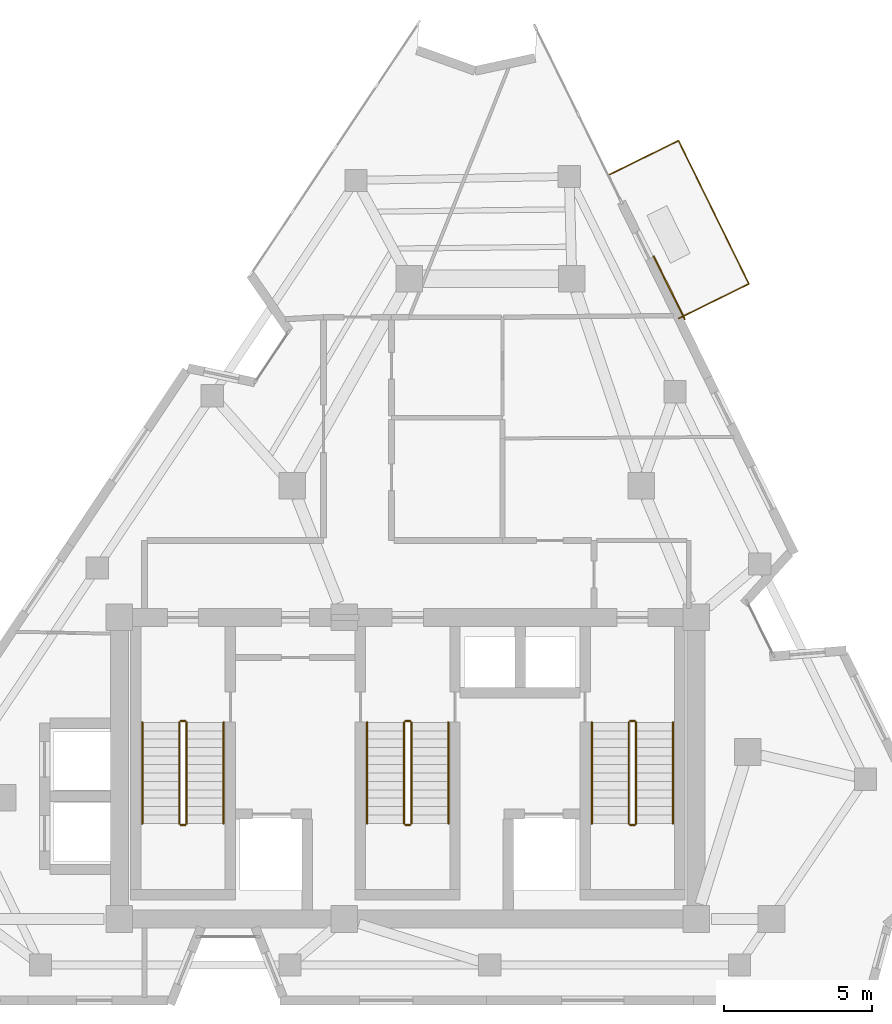
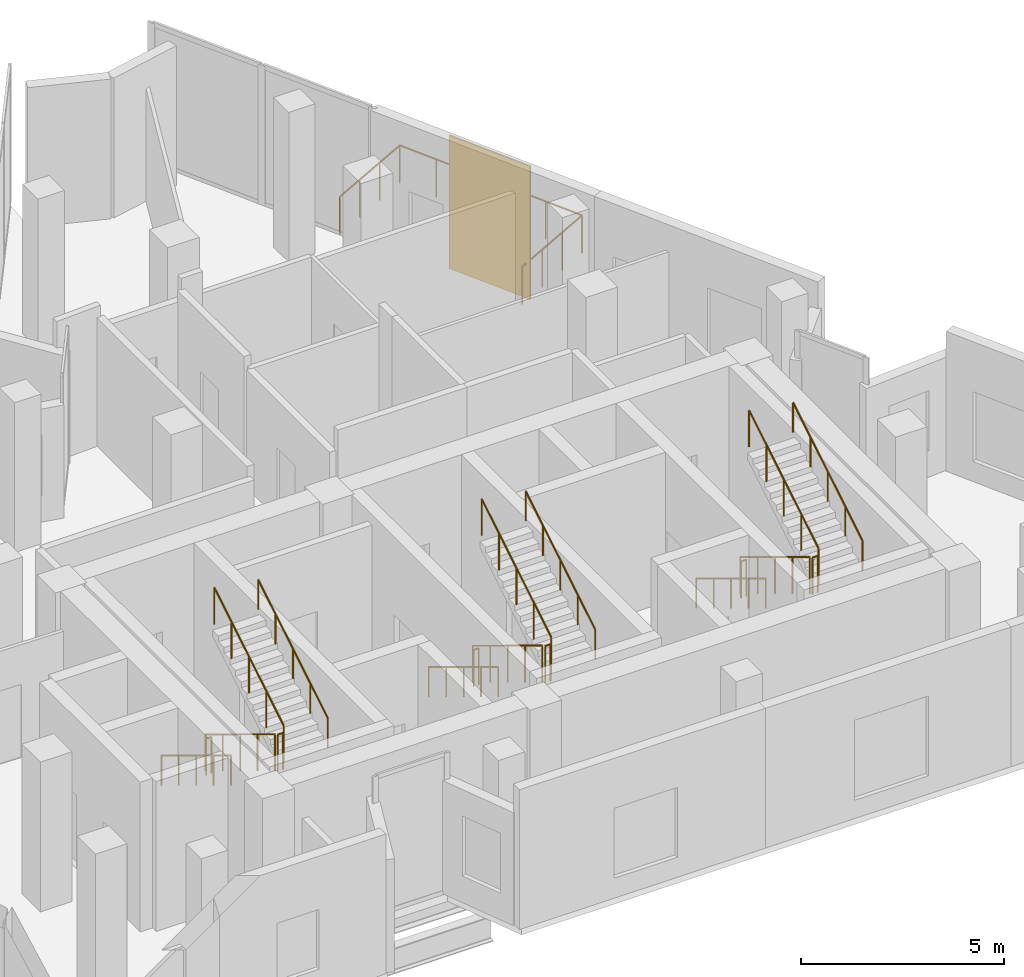
# One storey, part 9 of 9: 19 railings, 1 covering.
"""IFC4 building model written with IfcOpenShell, lengths in metres."""

from ifc_helpers import new_model, si_unit, direction, frame, origin, origin_2d, place, context, subcontext, project, spatial, rectangle, circle, extrude, material, layer, layer_set, type_object, element, save


model = new_model("IFC4")

# Units and contexts
model_context = context("Model", 3, precision=1e-05, world=origin(), true_north=direction((0.0, 1.0)))
body_context = subcontext(model_context, "Body", "Model", "MODEL_VIEW")
ifc_project = project(units=[si_unit("LENGTHUNIT", "METRE"), si_unit("AREAUNIT", "SQUARE_METRE"), si_unit("VOLUMEUNIT", "CUBIC_METRE"), si_unit("PLANEANGLEUNIT", "RADIAN"), si_unit("MASSUNIT", "GRAM", prefix="KILO")], contexts=[model_context])

# Site, building, storey
site_placement = place(None, origin())
site = spatial("IfcSite", under=ifc_project, at=site_placement, CompositionType="ELEMENT")
building_placement = place(site_placement, origin())
building = spatial("IfcBuilding", under=site, at=building_placement, Name="Almagre Mirador Tower", CompositionType="ELEMENT")
storey_placement = place(building_placement, frame((0.0, 0.0, 289.5)))
storey = spatial("IfcBuildingStorey", under=building, at=storey_placement, Name="L75", CompositionType="ELEMENT", Elevation=289.5)

# Covering
ifc_material_1 = material(Name="Almagre terracotta architectural cladding", Category="masonry")
ifc_layer = layer(ifc_material_1, 0.044921875)
ifc_layer_set = layer_set([ifc_layer], Name="Almagre terracotta architectural cladding")
covering_type = type_object("IfcCoveringType", Name="COV-CLAD-ALMAGRE", PredefinedType="CLADDING", material=ifc_layer_set)
covering_placement = place(storey_placement, frame((46.142822265625, 25.896484375, 0.10009765625), z_axis=(0.0, 0.0, 1.0), x_axis=(0.441302259963, -0.897358521078, 0.0)))
element("IfcCovering", 1, at=covering_placement, inside=storey, type_object=covering_type, Name="L75 almagre terracotta pier cladding", PredefinedType="CLADDING", context=body_context, shape_type="SweptSolid", body=[
    extrude(rectangle(XDim=2.39990234375, YDim=0.044921875, at=origin_2d()), origin(), (0.0, 0.0, 1.0), 4.0),
])

# Railings
ifc_material_2 = material(Name="Black anodized aluminium", Category="aluminium")
railing_type_1 = type_object("IfcRailingType", Name="RLG-BAL-1150", PredefinedType="BALUSTRADE", material=ifc_material_2)
railing_1_placement = place(storey_placement, frame((46.4609375, 24.85693359375, 0.0)))
element("IfcRailing", 2, at=railing_1_placement, inside=storey, type_object=railing_type_1, Name="L75 east balcony balustrade 1", PredefinedType="BALUSTRADE", context=body_context, shape_type="SweptSolid", body=[
    extrude(circle(Radius=0.02392578125, at=origin_2d()), frame((0.0, 0.0, 1.1259765625), z_axis=(0.897264435075, 0.441493526056, 0.0), x_axis=(-0.441493526056, 0.897264435075, 0.0)), (0.0, 0.0, 1.0), 2.650390625),
    extrude(circle(Radius=0.02392578125, at=origin_2d()), frame((2.378173828125, 1.170166015625, 1.1259765625), z_axis=(-0.441216382281, 0.897400748833, 0.0), x_axis=(-0.897400748833, -0.441216382281, 0.0)), (0.0, 0.0, 1.0), 5.39892578125),
    extrude(circle(Radius=0.02392578125, at=origin_2d()), frame((-0.00390625, 6.01513671875, 1.1259765625), z_axis=(-0.897392430481, -0.441233300778, 0.0), x_axis=(0.441233300778, -0.897392430481, 0.0)), (0.0, 0.0, 1.0), 2.64990234375),
    extrude(circle(Radius=0.02099609375, at=origin_2d()), origin(), (0.0, 0.0, 1.0), 1.101806640625),
    extrude(circle(Radius=0.02099609375, at=origin_2d()), frame((0.792724609375, 0.39013671875, 0.0)), (0.0, 0.0, 1.0), 1.101806640625),
    extrude(circle(Radius=0.02099609375, at=origin_2d()), frame((1.58544921875, 0.780029296875, 0.0)), (0.0, 0.0, 1.0), 1.101806640625),
    extrude(circle(Radius=0.02099609375, at=origin_2d()), frame((2.378173828125, 1.170166015625, 0.0)), (0.0, 0.0, 1.0), 1.101806640625),
    extrude(circle(Radius=0.02099609375, at=origin_2d()), frame((1.90185546875, 2.13916015625, 0.0)), (0.0, 0.0, 1.0), 1.101806640625),
    extrude(circle(Radius=0.02099609375, at=origin_2d()), frame((1.42529296875, 3.108154296875, 0.0)), (0.0, 0.0, 1.0), 1.101806640625),
    extrude(circle(Radius=0.02099609375, at=origin_2d()), frame((0.948974609375, 4.0771484375, 0.0)), (0.0, 0.0, 1.0), 1.101806640625),
    extrude(circle(Radius=0.02099609375, at=origin_2d()), frame((0.472412109375, 5.046142578125, 0.0)), (0.0, 0.0, 1.0), 1.101806640625),
    extrude(circle(Radius=0.02099609375, at=origin_2d()), frame((-0.00390625, 6.01513671875, 0.0)), (0.0, 0.0, 1.0), 1.101806640625),
    extrude(circle(Radius=0.02099609375, at=origin_2d()), frame((-0.796630859375, 5.62548828125, 0.0)), (0.0, 0.0, 1.0), 1.101806640625),
    extrude(circle(Radius=0.02099609375, at=origin_2d()), frame((-1.589111328125, 5.235595703125, 0.0)), (0.0, 0.0, 1.0), 1.101806640625),
    extrude(circle(Radius=0.02099609375, at=origin_2d()), frame((-2.3818359375, 4.845947265625, 0.0)), (0.0, 0.0, 1.0), 1.101806640625),
])
ifc_material_3 = material(Name="Painted galvanized steel", Category="steel")
railing_type_2 = type_object("IfcRailingType", Name="RLG-GRD-1100", PredefinedType="GUARDRAIL", material=ifc_material_3)
railing_2_placement = place(storey_placement, frame((29.574951171875, 11.199951171875, 0.173095703125)))
element("IfcRailing", 3, at=railing_2_placement, inside=storey, type_object=railing_type_2, Name="L75 ST-1 stair guard 1", PredefinedType="GUARDRAIL", context=body_context, shape_type="SweptSolid", body=[
    extrude(circle(Radius=0.02392578125, at=origin_2d()), frame((0.0, 0.0, 1.09619140625), z_axis=(0.0, -0.854729506542, 0.519073665916), x_axis=(1.0, 0.0, 0.0)), (0.0, 0.0, 1.0), 4.001220703125),
    extrude(circle(Radius=0.02099609375, at=origin_2d()), origin(), (0.0, 0.0, 1.0), 1.072021484375),
    extrude(circle(Radius=0.02099609375, at=origin_2d()), frame((0.0, -0.85498046875, 0.519287109375)), (0.0, 0.0, 1.0), 1.072021484375),
    extrude(circle(Radius=0.02099609375, at=origin_2d()), frame((0.0, -1.7099609375, 1.03857421875)), (0.0, 0.0, 1.0), 1.072021484375),
    extrude(circle(Radius=0.02099609375, at=origin_2d()), frame((0.0, -2.56494140625, 1.5576171875)), (0.0, 0.0, 1.0), 1.072021484375),
    extrude(circle(Radius=0.02099609375, at=origin_2d()), frame((0.0, -3.419921875, 2.076904296875)), (0.0, 0.0, 1.0), 1.072021484375),
])
railing_3_placement = place(storey_placement, frame((29.625, 7.72998046875, 2.25)))
element("IfcRailing", 4, at=railing_3_placement, inside=storey, type_object=railing_type_2, Name="L75 ST-1 stair guard 2", PredefinedType="GUARDRAIL", context=body_context, shape_type="SweptSolid", body=[
    extrude(circle(Radius=0.02392578125, at=origin_2d()), frame((0.0, 0.0, 1.09619140625), z_axis=(1.0, 0.0, 0.0), x_axis=(0.0, 1.0, 0.0)), (0.0, 0.0, 1.0), 0.14990234375),
    extrude(circle(Radius=0.02099609375, at=origin_2d()), origin(), (0.0, 0.0, 1.0), 1.072021484375),
    extrude(circle(Radius=0.02099609375, at=origin_2d()), frame((0.14990234375, 0.0, 0.0)), (0.0, 0.0, 1.0), 1.072021484375),
])
railing_4_placement = place(storey_placement, frame((29.824951171875, 7.780029296875, 2.423095703125)))
element("IfcRailing", 5, at=railing_4_placement, inside=storey, type_object=railing_type_2, Name="L75 ST-1 stair guard 3", PredefinedType="GUARDRAIL", context=body_context, shape_type="SweptSolid", body=[
    extrude(circle(Radius=0.02392578125, at=origin_2d()), frame((0.0, 0.0, 1.09619140625), z_axis=(0.0, 0.854729506542, 0.519073665916), x_axis=(-1.0, 0.0, 0.0)), (0.0, 0.0, 1.0), 4.001220703125),
    extrude(circle(Radius=0.02099609375, at=origin_2d()), origin(), (0.0, 0.0, 1.0), 1.072021484375),
    extrude(circle(Radius=0.02099609375, at=origin_2d()), frame((0.0, 0.85498046875, 0.519287109375)), (0.0, 0.0, 1.0), 1.072021484375),
    extrude(circle(Radius=0.02099609375, at=origin_2d()), frame((0.0, 1.7099609375, 1.03857421875)), (0.0, 0.0, 1.0), 1.072021484375),
    extrude(circle(Radius=0.02099609375, at=origin_2d()), frame((0.0, 2.56494140625, 1.5576171875)), (0.0, 0.0, 1.0), 1.072021484375),
    extrude(circle(Radius=0.02099609375, at=origin_2d()), frame((0.0, 3.419921875, 2.076904296875)), (0.0, 0.0, 1.0), 1.072021484375),
])
railing_5_placement = place(storey_placement, frame((29.625, 11.25, 0.0)))
element("IfcRailing", 6, at=railing_5_placement, inside=storey, type_object=railing_type_2, Name="L75 ST-1 stair guard 4", PredefinedType="GUARDRAIL", context=body_context, shape_type="SweptSolid", body=[
    extrude(circle(Radius=0.02392578125, at=origin_2d()), frame((0.0, 0.0, 1.09619140625), z_axis=(1.0, 0.0, 0.0), x_axis=(0.0, 1.0, 0.0)), (0.0, 0.0, 1.0), 0.14990234375),
    extrude(circle(Radius=0.02099609375, at=origin_2d()), origin(), (0.0, 0.0, 1.0), 1.072021484375),
    extrude(circle(Radius=0.02099609375, at=origin_2d()), frame((0.14990234375, 0.0, 0.0)), (0.0, 0.0, 1.0), 1.072021484375),
])
railing_6_placement = place(storey_placement, frame((37.175048828125, 11.199951171875, 0.173095703125)))
element("IfcRailing", 7, at=railing_6_placement, inside=storey, type_object=railing_type_2, Name="L75 ST-2 stair guard 1", PredefinedType="GUARDRAIL", context=body_context, shape_type="SweptSolid", body=[
    extrude(circle(Radius=0.02392578125, at=origin_2d()), frame((0.0, 0.0, 1.09619140625), z_axis=(0.0, -0.854729506542, 0.519073665916), x_axis=(1.0, 0.0, 0.0)), (0.0, 0.0, 1.0), 4.001220703125),
    extrude(circle(Radius=0.02099609375, at=origin_2d()), origin(), (0.0, 0.0, 1.0), 1.072021484375),
    extrude(circle(Radius=0.02099609375, at=origin_2d()), frame((0.0, -0.85498046875, 0.519287109375)), (0.0, 0.0, 1.0), 1.072021484375),
    extrude(circle(Radius=0.02099609375, at=origin_2d()), frame((0.0, -1.7099609375, 1.03857421875)), (0.0, 0.0, 1.0), 1.072021484375),
    extrude(circle(Radius=0.02099609375, at=origin_2d()), frame((0.0, -2.56494140625, 1.5576171875)), (0.0, 0.0, 1.0), 1.072021484375),
    extrude(circle(Radius=0.02099609375, at=origin_2d()), frame((0.0, -3.419921875, 2.076904296875)), (0.0, 0.0, 1.0), 1.072021484375),
])
railing_7_placement = place(storey_placement, frame((37.22509765625, 7.72998046875, 2.25)))
element("IfcRailing", 8, at=railing_7_placement, inside=storey, type_object=railing_type_2, Name="L75 ST-2 stair guard 2", PredefinedType="GUARDRAIL", context=body_context, shape_type="SweptSolid", body=[
    extrude(circle(Radius=0.02392578125, at=origin_2d()), frame((0.0, 0.0, 1.09619140625), z_axis=(1.0, 0.0, 0.0), x_axis=(0.0, 1.0, 0.0)), (0.0, 0.0, 1.0), 0.14990234375),
    extrude(circle(Radius=0.02099609375, at=origin_2d()), origin(), (0.0, 0.0, 1.0), 1.072021484375),
    extrude(circle(Radius=0.02099609375, at=origin_2d()), frame((0.14990234375, 0.0, 0.0)), (0.0, 0.0, 1.0), 1.072021484375),
])
railing_8_placement = place(storey_placement, frame((37.425048828125, 7.780029296875, 2.423095703125)))
element("IfcRailing", 9, at=railing_8_placement, inside=storey, type_object=railing_type_2, Name="L75 ST-2 stair guard 3", PredefinedType="GUARDRAIL", context=body_context, shape_type="SweptSolid", body=[
    extrude(circle(Radius=0.02392578125, at=origin_2d()), frame((0.0, 0.0, 1.09619140625), z_axis=(0.0, 0.854729506542, 0.519073665916), x_axis=(-1.0, 0.0, 0.0)), (0.0, 0.0, 1.0), 4.001220703125),
    extrude(circle(Radius=0.02099609375, at=origin_2d()), origin(), (0.0, 0.0, 1.0), 1.072021484375),
    extrude(circle(Radius=0.02099609375, at=origin_2d()), frame((0.0, 0.85498046875, 0.519287109375)), (0.0, 0.0, 1.0), 1.072021484375),
    extrude(circle(Radius=0.02099609375, at=origin_2d()), frame((0.0, 1.7099609375, 1.03857421875)), (0.0, 0.0, 1.0), 1.072021484375),
    extrude(circle(Radius=0.02099609375, at=origin_2d()), frame((0.0, 2.56494140625, 1.5576171875)), (0.0, 0.0, 1.0), 1.072021484375),
    extrude(circle(Radius=0.02099609375, at=origin_2d()), frame((0.0, 3.419921875, 2.076904296875)), (0.0, 0.0, 1.0), 1.072021484375),
])
railing_9_placement = place(storey_placement, frame((37.22509765625, 11.25, 0.0)))
element("IfcRailing", 10, at=railing_9_placement, inside=storey, type_object=railing_type_2, Name="L75 ST-2 stair guard 4", PredefinedType="GUARDRAIL", context=body_context, shape_type="SweptSolid", body=[
    extrude(circle(Radius=0.02392578125, at=origin_2d()), frame((0.0, 0.0, 1.09619140625), z_axis=(1.0, 0.0, 0.0), x_axis=(0.0, 1.0, 0.0)), (0.0, 0.0, 1.0), 0.14990234375),
    extrude(circle(Radius=0.02099609375, at=origin_2d()), origin(), (0.0, 0.0, 1.0), 1.072021484375),
    extrude(circle(Radius=0.02099609375, at=origin_2d()), frame((0.14990234375, 0.0, 0.0)), (0.0, 0.0, 1.0), 1.072021484375),
])
railing_10_placement = place(storey_placement, frame((44.77490234375, 11.199951171875, 0.173095703125)))
element("IfcRailing", 11, at=railing_10_placement, inside=storey, type_object=railing_type_2, Name="L75 ST-3 stair guard 1", PredefinedType="GUARDRAIL", context=body_context, shape_type="SweptSolid", body=[
    extrude(circle(Radius=0.02392578125, at=origin_2d()), frame((0.0, 0.0, 1.09619140625), z_axis=(0.0, -0.854729506542, 0.519073665916), x_axis=(1.0, 0.0, 0.0)), (0.0, 0.0, 1.0), 4.001220703125),
    extrude(circle(Radius=0.02099609375, at=origin_2d()), origin(), (0.0, 0.0, 1.0), 1.072021484375),
    extrude(circle(Radius=0.02099609375, at=origin_2d()), frame((0.0, -0.85498046875, 0.519287109375)), (0.0, 0.0, 1.0), 1.072021484375),
    extrude(circle(Radius=0.02099609375, at=origin_2d()), frame((0.0, -1.7099609375, 1.03857421875)), (0.0, 0.0, 1.0), 1.072021484375),
    extrude(circle(Radius=0.02099609375, at=origin_2d()), frame((0.0, -2.56494140625, 1.5576171875)), (0.0, 0.0, 1.0), 1.072021484375),
    extrude(circle(Radius=0.02099609375, at=origin_2d()), frame((0.0, -3.419921875, 2.076904296875)), (0.0, 0.0, 1.0), 1.072021484375),
])
railing_11_placement = place(storey_placement, frame((44.824951171875, 7.72998046875, 2.25)))
element("IfcRailing", 12, at=railing_11_placement, inside=storey, type_object=railing_type_2, Name="L75 ST-3 stair guard 2", PredefinedType="GUARDRAIL", context=body_context, shape_type="SweptSolid", body=[
    extrude(circle(Radius=0.02392578125, at=origin_2d()), frame((0.0, 0.0, 1.09619140625), z_axis=(1.0, 0.0, 0.0), x_axis=(0.0, 1.0, 0.0)), (0.0, 0.0, 1.0), 0.150146484375),
    extrude(circle(Radius=0.02099609375, at=origin_2d()), origin(), (0.0, 0.0, 1.0), 1.072021484375),
    extrude(circle(Radius=0.02099609375, at=origin_2d()), frame((0.150146484375, 0.0, 0.0)), (0.0, 0.0, 1.0), 1.072021484375),
])
railing_12_placement = place(storey_placement, frame((45.02490234375, 7.780029296875, 2.423095703125)))
element("IfcRailing", 13, at=railing_12_placement, inside=storey, type_object=railing_type_2, Name="L75 ST-3 stair guard 3", PredefinedType="GUARDRAIL", context=body_context, shape_type="SweptSolid", body=[
    extrude(circle(Radius=0.02392578125, at=origin_2d()), frame((0.0, 0.0, 1.09619140625), z_axis=(0.0, 0.854729506542, 0.519073665916), x_axis=(-1.0, 0.0, 0.0)), (0.0, 0.0, 1.0), 4.001220703125),
    extrude(circle(Radius=0.02099609375, at=origin_2d()), origin(), (0.0, 0.0, 1.0), 1.072021484375),
    extrude(circle(Radius=0.02099609375, at=origin_2d()), frame((0.0, 0.85498046875, 0.519287109375)), (0.0, 0.0, 1.0), 1.072021484375),
    extrude(circle(Radius=0.02099609375, at=origin_2d()), frame((0.0, 1.7099609375, 1.03857421875)), (0.0, 0.0, 1.0), 1.072021484375),
    extrude(circle(Radius=0.02099609375, at=origin_2d()), frame((0.0, 2.56494140625, 1.5576171875)), (0.0, 0.0, 1.0), 1.072021484375),
    extrude(circle(Radius=0.02099609375, at=origin_2d()), frame((0.0, 3.419921875, 2.076904296875)), (0.0, 0.0, 1.0), 1.072021484375),
])
railing_13_placement = place(storey_placement, frame((44.824951171875, 11.25, 0.0)))
element("IfcRailing", 14, at=railing_13_placement, inside=storey, type_object=railing_type_2, Name="L75 ST-3 stair guard 4", PredefinedType="GUARDRAIL", context=body_context, shape_type="SweptSolid", body=[
    extrude(circle(Radius=0.02392578125, at=origin_2d()), frame((0.0, 0.0, 1.09619140625), z_axis=(1.0, 0.0, 0.0), x_axis=(0.0, 1.0, 0.0)), (0.0, 0.0, 1.0), 0.150146484375),
    extrude(circle(Radius=0.02099609375, at=origin_2d()), origin(), (0.0, 0.0, 1.0), 1.072021484375),
    extrude(circle(Radius=0.02099609375, at=origin_2d()), frame((0.150146484375, 0.0, 0.0)), (0.0, 0.0, 1.0), 1.072021484375),
])
ifc_material_4 = material(Name="Brushed stainless steel", Category="steel")
railing_type_3 = type_object("IfcRailingType", Name="RLG-HND-915", PredefinedType="HANDRAIL", material=ifc_material_4)
railing_14_placement = place(storey_placement, frame((28.324951171875, 11.199951171875, 0.173095703125)))
element("IfcRailing", 15, at=railing_14_placement, inside=storey, type_object=railing_type_3, Name="L75 ST-1 stair handrail 1", PredefinedType="HANDRAIL", context=body_context, shape_type="SweptSolid", body=[
    extrude(circle(Radius=0.02392578125, at=origin_2d()), frame((0.0, 0.0, 0.89111328125), z_axis=(0.0, -0.854729506542, 0.519073665916), x_axis=(1.0, 0.0, 0.0)), (0.0, 0.0, 1.0), 4.001220703125),
    extrude(circle(Radius=0.02099609375, at=origin_2d()), origin(), (0.0, 0.0, 1.0), 0.866943359375),
    extrude(circle(Radius=0.02099609375, at=origin_2d()), frame((0.0, -0.85498046875, 0.519287109375)), (0.0, 0.0, 1.0), 0.866943359375),
    extrude(circle(Radius=0.02099609375, at=origin_2d()), frame((0.0, -1.7099609375, 1.03857421875)), (0.0, 0.0, 1.0), 0.866943359375),
    extrude(circle(Radius=0.02099609375, at=origin_2d()), frame((0.0, -2.56494140625, 1.5576171875)), (0.0, 0.0, 1.0), 0.866943359375),
    extrude(circle(Radius=0.02099609375, at=origin_2d()), frame((0.0, -3.419921875, 2.076904296875)), (0.0, 0.0, 1.0), 0.866943359375),
])
railing_15_placement = place(storey_placement, frame((31.074951171875, 7.780029296875, 2.423095703125)))
element("IfcRailing", 16, at=railing_15_placement, inside=storey, type_object=railing_type_3, Name="L75 ST-1 stair handrail 2", PredefinedType="HANDRAIL", context=body_context, shape_type="SweptSolid", body=[
    extrude(circle(Radius=0.02392578125, at=origin_2d()), frame((0.0, 0.0, 0.89111328125), z_axis=(0.0, 0.854729506542, 0.519073665916), x_axis=(-1.0, 0.0, 0.0)), (0.0, 0.0, 1.0), 4.001220703125),
    extrude(circle(Radius=0.02099609375, at=origin_2d()), origin(), (0.0, 0.0, 1.0), 0.866943359375),
    extrude(circle(Radius=0.02099609375, at=origin_2d()), frame((0.0, 0.85498046875, 0.519287109375)), (0.0, 0.0, 1.0), 0.866943359375),
    extrude(circle(Radius=0.02099609375, at=origin_2d()), frame((0.0, 1.7099609375, 1.03857421875)), (0.0, 0.0, 1.0), 0.866943359375),
    extrude(circle(Radius=0.02099609375, at=origin_2d()), frame((0.0, 2.56494140625, 1.5576171875)), (0.0, 0.0, 1.0), 0.866943359375),
    extrude(circle(Radius=0.02099609375, at=origin_2d()), frame((0.0, 3.419921875, 2.076904296875)), (0.0, 0.0, 1.0), 0.866943359375),
])
railing_16_placement = place(storey_placement, frame((35.925048828125, 11.199951171875, 0.173095703125)))
element("IfcRailing", 17, at=railing_16_placement, inside=storey, type_object=railing_type_3, Name="L75 ST-2 stair handrail 1", PredefinedType="HANDRAIL", context=body_context, shape_type="SweptSolid", body=[
    extrude(circle(Radius=0.02392578125, at=origin_2d()), frame((0.0, 0.0, 0.89111328125), z_axis=(0.0, -0.854729506542, 0.519073665916), x_axis=(1.0, 0.0, 0.0)), (0.0, 0.0, 1.0), 4.001220703125),
    extrude(circle(Radius=0.02099609375, at=origin_2d()), origin(), (0.0, 0.0, 1.0), 0.866943359375),
    extrude(circle(Radius=0.02099609375, at=origin_2d()), frame((0.0, -0.85498046875, 0.519287109375)), (0.0, 0.0, 1.0), 0.866943359375),
    extrude(circle(Radius=0.02099609375, at=origin_2d()), frame((0.0, -1.7099609375, 1.03857421875)), (0.0, 0.0, 1.0), 0.866943359375),
    extrude(circle(Radius=0.02099609375, at=origin_2d()), frame((0.0, -2.56494140625, 1.5576171875)), (0.0, 0.0, 1.0), 0.866943359375),
    extrude(circle(Radius=0.02099609375, at=origin_2d()), frame((0.0, -3.419921875, 2.076904296875)), (0.0, 0.0, 1.0), 0.866943359375),
])
railing_17_placement = place(storey_placement, frame((38.675048828125, 7.780029296875, 2.423095703125)))
element("IfcRailing", 18, at=railing_17_placement, inside=storey, type_object=railing_type_3, Name="L75 ST-2 stair handrail 2", PredefinedType="HANDRAIL", context=body_context, shape_type="SweptSolid", body=[
    extrude(circle(Radius=0.02392578125, at=origin_2d()), frame((0.0, 0.0, 0.89111328125), z_axis=(0.0, 0.854729506542, 0.519073665916), x_axis=(-1.0, 0.0, 0.0)), (0.0, 0.0, 1.0), 4.001220703125),
    extrude(circle(Radius=0.02099609375, at=origin_2d()), origin(), (0.0, 0.0, 1.0), 0.866943359375),
    extrude(circle(Radius=0.02099609375, at=origin_2d()), frame((0.0, 0.85498046875, 0.519287109375)), (0.0, 0.0, 1.0), 0.866943359375),
    extrude(circle(Radius=0.02099609375, at=origin_2d()), frame((0.0, 1.7099609375, 1.03857421875)), (0.0, 0.0, 1.0), 0.866943359375),
    extrude(circle(Radius=0.02099609375, at=origin_2d()), frame((0.0, 2.56494140625, 1.5576171875)), (0.0, 0.0, 1.0), 0.866943359375),
    extrude(circle(Radius=0.02099609375, at=origin_2d()), frame((0.0, 3.419921875, 2.076904296875)), (0.0, 0.0, 1.0), 0.866943359375),
])
railing_18_placement = place(storey_placement, frame((43.52490234375, 11.199951171875, 0.173095703125)))
element("IfcRailing", 19, at=railing_18_placement, inside=storey, type_object=railing_type_3, Name="L75 ST-3 stair handrail 1", PredefinedType="HANDRAIL", context=body_context, shape_type="SweptSolid", body=[
    extrude(circle(Radius=0.02392578125, at=origin_2d()), frame((0.0, 0.0, 0.89111328125), z_axis=(0.0, -0.854729506542, 0.519073665916), x_axis=(1.0, 0.0, 0.0)), (0.0, 0.0, 1.0), 4.001220703125),
    extrude(circle(Radius=0.02099609375, at=origin_2d()), origin(), (0.0, 0.0, 1.0), 0.866943359375),
    extrude(circle(Radius=0.02099609375, at=origin_2d()), frame((0.0, -0.85498046875, 0.519287109375)), (0.0, 0.0, 1.0), 0.866943359375),
    extrude(circle(Radius=0.02099609375, at=origin_2d()), frame((0.0, -1.7099609375, 1.03857421875)), (0.0, 0.0, 1.0), 0.866943359375),
    extrude(circle(Radius=0.02099609375, at=origin_2d()), frame((0.0, -2.56494140625, 1.5576171875)), (0.0, 0.0, 1.0), 0.866943359375),
    extrude(circle(Radius=0.02099609375, at=origin_2d()), frame((0.0, -3.419921875, 2.076904296875)), (0.0, 0.0, 1.0), 0.866943359375),
])
railing_19_placement = place(storey_placement, frame((46.27490234375, 7.780029296875, 2.423095703125)))
element("IfcRailing", 20, at=railing_19_placement, inside=storey, type_object=railing_type_3, Name="L75 ST-3 stair handrail 2", PredefinedType="HANDRAIL", context=body_context, shape_type="SweptSolid", body=[
    extrude(circle(Radius=0.02392578125, at=origin_2d()), frame((0.0, 0.0, 0.89111328125), z_axis=(0.0, 0.854729506542, 0.519073665916), x_axis=(-1.0, 0.0, 0.0)), (0.0, 0.0, 1.0), 4.001220703125),
    extrude(circle(Radius=0.02099609375, at=origin_2d()), origin(), (0.0, 0.0, 1.0), 0.866943359375),
    extrude(circle(Radius=0.02099609375, at=origin_2d()), frame((0.0, 0.85498046875, 0.519287109375)), (0.0, 0.0, 1.0), 0.866943359375),
    extrude(circle(Radius=0.02099609375, at=origin_2d()), frame((0.0, 1.7099609375, 1.03857421875)), (0.0, 0.0, 1.0), 0.866943359375),
    extrude(circle(Radius=0.02099609375, at=origin_2d()), frame((0.0, 2.56494140625, 1.5576171875)), (0.0, 0.0, 1.0), 0.866943359375),
    extrude(circle(Radius=0.02099609375, at=origin_2d()), frame((0.0, 3.419921875, 2.076904296875)), (0.0, 0.0, 1.0), 0.866943359375),
])

save(model, "model.ifc")
